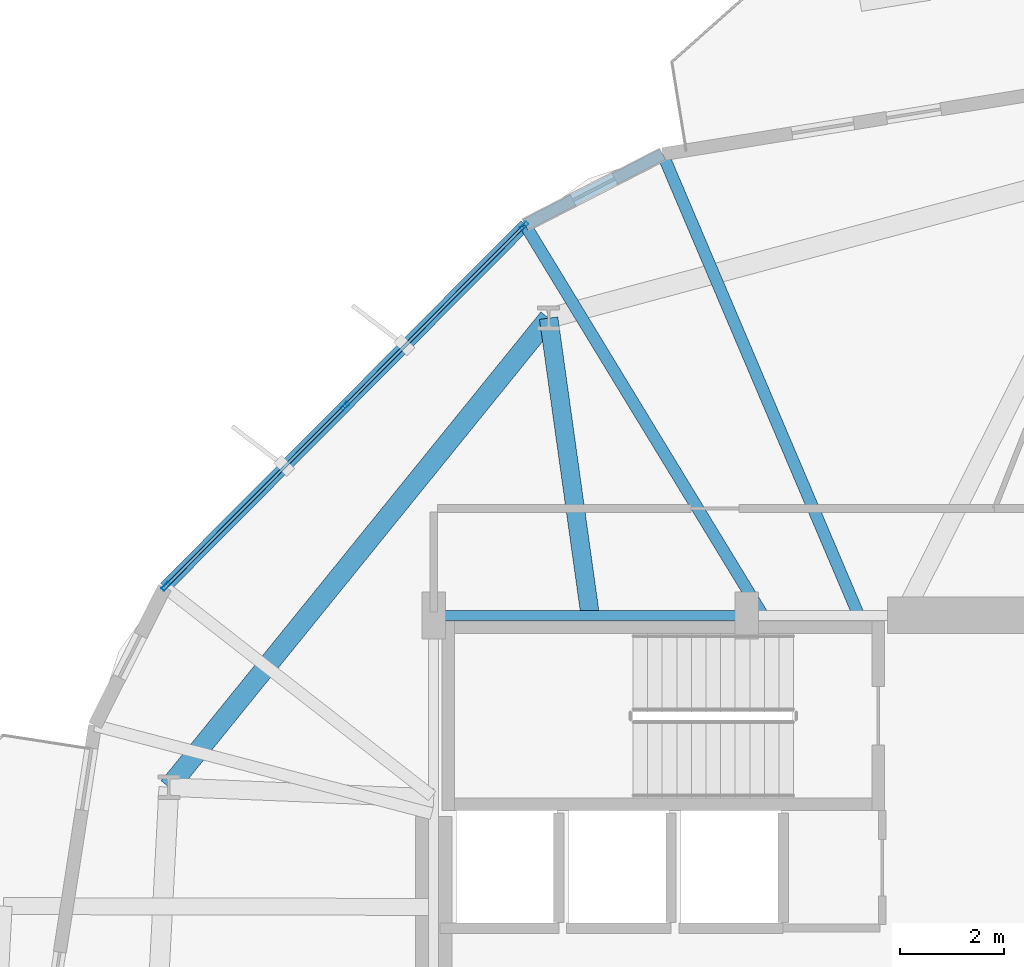
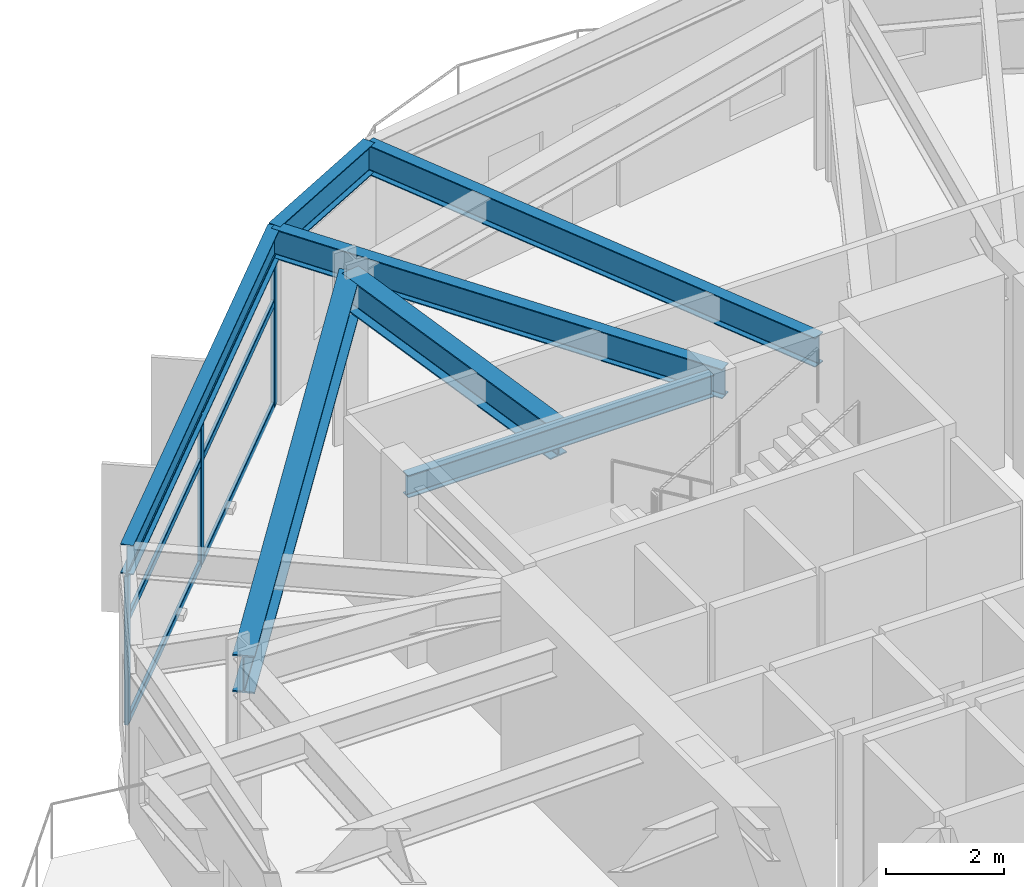
# One storey, part 13 of 23: 9 members, 7 beams, 1 element without a shape of its own.
"""IFC4 building model written with IfcOpenShell, lengths in metres."""

from ifc_helpers import new_model, si_unit, direction, frame, origin, origin_2d, place, context, subcontext, project, spatial, hollow_rectangle, i_section, extrude, material, layer, layer_set, material_profile, profile_set, type_object, element, aggregate, save


model = new_model("IFC4")

# Units and contexts
model_context = context("Model", 3, precision=1e-05, world=origin(), true_north=direction((0.0, 1.0)))
body_context = subcontext(model_context, "Body", "Model", "MODEL_VIEW")
ifc_project = project(units=[si_unit("LENGTHUNIT", "METRE"), si_unit("AREAUNIT", "SQUARE_METRE"), si_unit("VOLUMEUNIT", "CUBIC_METRE"), si_unit("PLANEANGLEUNIT", "RADIAN"), si_unit("MASSUNIT", "GRAM", prefix="KILO")], contexts=[model_context])

# Site, building, storey
site_placement = place(None, origin())
site = spatial("IfcSite", under=ifc_project, at=site_placement, CompositionType="ELEMENT")
building_placement = place(site_placement, origin())
building = spatial("IfcBuilding", under=site, at=building_placement, Name="Soratama Intermodal Tower", CompositionType="ELEMENT")
storey_placement = place(building_placement, frame((0.0, 0.0, 62.60009765625)))
storey = spatial("IfcBuildingStorey", under=building, at=storey_placement, Name="L14", CompositionType="ELEMENT", Elevation=62.60009765625)

# Beams
ifc_material_1 = material(Name="Structural steel ASTM A992 Grade 50", Category="steel")
ifc_material_profile_1 = material_profile(ifc_material_1, i_section(OverallWidth=0.19091796875, OverallDepth=0.4599609375, WebThickness=0.010009765625, FlangeThickness=0.01611328125, FilletRadius=0.010986328125, at=origin_2d()), Name="W18X55")
ifc_profile_set_1 = profile_set([ifc_material_profile_1], Name="Structural steel ASTM A992 Grade 50")
beam_type_1 = type_object("IfcBeamType", Name="BM-FLR-W18X55", PredefinedType="BEAM", material=ifc_profile_set_1)
beam_1_placement = place(storey_placement, frame((38.60009765625, 35.0, 3.469970703125), z_axis=(-1.0, 0.0, 0.0), x_axis=(0.0, -1.0, 0.0)))
element("IfcBeam", 1, at=beam_1_placement, inside=storey, type_object=beam_type_1, Name="BM-L14-CRING-07", PredefinedType="BEAM", context=body_context, shape_type="SweptSolid", body=[
    extrude(i_section(OverallWidth=0.19091796875, OverallDepth=0.4599609375, WebThickness=0.010009765625, FlangeThickness=0.01611328125, FilletRadius=0.010986328125, at=origin_2d()), origin(), (0.0, 0.0, 1.0), 6.0),
])
ifc_material_2 = material(Name="Structural steel ASTM A992 Grade 50", Category="steel")
ifc_material_profile_2 = material_profile(ifc_material_2, i_section(OverallWidth=0.35498046875, OverallDepth=0.695068359375, WebThickness=0.015380859375, FlangeThickness=0.02490234375, FilletRadius=0.01611328125, at=origin_2d()), Name="W27X146")
ifc_profile_set_2 = profile_set([ifc_material_profile_2], Name="Structural steel ASTM A992 Grade 50")
beam_type_2 = type_object("IfcBeamType", Name="BM-RING-W27X146", PredefinedType="BEAM", material=ifc_profile_set_2)
beam_2_placement = place(storey_placement, frame((35.60009765625, 35.0, 3.352294921875), z_axis=(-0.138332473065, 0.990385847484, 0.0), x_axis=(-0.990385847484, -0.138332473065, 0.0)))
element("IfcBeam", 2, at=beam_2_placement, inside=storey, type_object=beam_type_2, Name="BM-L14-RAD-04", PredefinedType="BEAM", context=body_context, shape_type="SweptSolid", body=[
    extrude(i_section(OverallWidth=0.35498046875, OverallDepth=0.695068359375, WebThickness=0.015380859375, FlangeThickness=0.02490234375, FilletRadius=0.01611328125, at=origin_2d()), origin(), (0.0, 0.0, 1.0), 5.75537109375),
])
ifc_material_3 = material(Name="Structural steel ASTM A992 Grade 50", Category="steel")
ifc_material_profile_3 = material_profile(ifc_material_3, i_section(OverallWidth=0.382080078125, OverallDepth=0.779052734375, WebThickness=0.01806640625, FlangeThickness=0.030029296875, FilletRadius=0.01806640625, at=origin_2d()), Name="W30X191")
ifc_profile_set_3 = profile_set([ifc_material_profile_3], Name="Structural steel ASTM A992 Grade 50")
beam_type_3 = type_object("IfcBeamType", Name="BM-RING-W30X191", PredefinedType="BEAM", material=ifc_profile_set_3)
beam_3_placement = place(storey_placement, frame((34.803955078125, 40.699951171875, 3.310302734375), z_axis=(-0.629334198857, -0.777134779912, 0.0), x_axis=(0.777134779912, -0.629334198857, 0.0)))
element("IfcBeam", 3, at=beam_3_placement, inside=storey, type_object=beam_type_3, Name="BM-L14-RING-04", PredefinedType="BEAM", context=body_context, shape_type="SweptSolid", body=[
    extrude(i_section(OverallWidth=0.382080078125, OverallDepth=0.779052734375, WebThickness=0.01806640625, FlangeThickness=0.030029296875, FilletRadius=0.01806640625, at=origin_2d()), origin(), (0.0, 0.0, 1.0), 11.5693359375),
])
ifc_material_4 = material(Name="Structural steel ASTM A992 Grade 50", Category="steel")
ifc_material_profile_4 = material_profile(ifc_material_4, i_section(OverallWidth=0.22900390625, OverallDepth=0.612060546875, WebThickness=0.011962890625, FlangeThickness=0.01953125, FilletRadius=0.012939453125, at=origin_2d()), Name="W24X84")
ifc_profile_set_4 = profile_set([ifc_material_profile_4], Name="Structural steel ASTM A992 Grade 50")
beam_type_4 = type_object("IfcBeamType", Name="BM-SPN-W24X84", PredefinedType="SPANDREL", material=ifc_profile_set_4)
beam_4_placement = place(storey_placement, frame((36.990966796875, 43.843994140625, 3.393798828125), z_axis=(-0.889585998818, -0.456767720736, 0.0), x_axis=(0.456767720736, -0.889585998818, 0.0)))
element("IfcBeam", 4, at=beam_4_placement, inside=storey, type_object=beam_type_4, Name="BS-L14-CRN03", PredefinedType="SPANDREL", context=body_context, shape_type="SweptSolid", body=[
    extrude(i_section(OverallWidth=0.22900390625, OverallDepth=0.612060546875, WebThickness=0.011962890625, FlangeThickness=0.01953125, FilletRadius=0.012939453125, at=origin_2d()), origin(), (0.0, 0.0, 1.0), 2.966552734375),
])
beam_5_placement = place(storey_placement, frame((34.35205078125, 42.489013671875, 3.393798828125), z_axis=(-0.704911045702, -0.709295719462, 0.0), x_axis=(0.709295719462, -0.704911045702, 0.0)))
element("IfcBeam", 5, at=beam_5_placement, inside=storey, type_object=beam_type_4, Name="BS-L14-F04", PredefinedType="SPANDREL", context=body_context, shape_type="SweptSolid", body=[
    extrude(i_section(OverallWidth=0.22900390625, OverallDepth=0.612060546875, WebThickness=0.011962890625, FlangeThickness=0.01953125, FilletRadius=0.012939453125, at=origin_2d()), origin(), (0.0, 0.0, 1.0), 9.7998046875),
])
ifc_material_5 = material(Name="Structural steel ASTM A992 Grade 50", Category="steel")
ifc_material_profile_5 = material_profile(ifc_material_5, i_section(OverallWidth=0.22900390625, OverallDepth=0.612060546875, WebThickness=0.011962890625, FlangeThickness=0.01953125, FilletRadius=0.012939453125, at=origin_2d()), Name="W24X84")
ifc_profile_set_5 = profile_set([ifc_material_profile_5], Name="Structural steel ASTM A992 Grade 50")
beam_type_5 = type_object("IfcBeamType", Name="BM-TIE-W24X84", PredefinedType="BEAM", material=ifc_profile_set_5)
beam_6_placement = place(storey_placement, frame((40.73388671875, 35.037109375, 3.393798828125), z_axis=(-0.391140100101, 0.920331148062, 0.0), x_axis=(-0.920331148062, -0.391140100101, 0.0)))
element("IfcBeam", 6, at=beam_6_placement, inside=storey, type_object=beam_type_5, Name="BM-L14-TIE1-03", PredefinedType="BEAM", context=body_context, shape_type="SweptSolid", body=[
    extrude(i_section(OverallWidth=0.22900390625, OverallDepth=0.612060546875, WebThickness=0.011962890625, FlangeThickness=0.01953125, FilletRadius=0.012939453125, at=origin_2d()), origin(), (0.0, 0.0, 1.0), 9.5693359375),
])
beam_7_placement = place(storey_placement, frame((38.89111328125, 35.033935546875, 3.393798828125), z_axis=(-0.520046329048, 0.854138054207, 0.0), x_axis=(-0.854138054207, -0.520046329048, 0.0)))
element("IfcBeam", 7, at=beam_7_placement, inside=storey, type_object=beam_type_5, Name="BM-L14-TIE0-04", PredefinedType="BEAM", context=body_context, shape_type="SweptSolid", body=[
    extrude(i_section(OverallWidth=0.22900390625, OverallDepth=0.612060546875, WebThickness=0.011962890625, FlangeThickness=0.01953125, FilletRadius=0.012939453125, at=origin_2d()), origin(), (0.0, 0.0, 1.0), 8.728271484375),
])

# Curtain wall, members
ifc_material_6 = material(Name="Double-glazed aluminium curtain wall", Category="aluminium")
ifc_layer = layer(ifc_material_6, 0.159912109375)
ifc_layer_set = layer_set([ifc_layer], Name="Double-glazed aluminium curtain wall")
curtain_wall_type = type_object("IfcCurtainWallType", Name="CW-SYS-2", PredefinedType="NOTDEFINED", material=ifc_layer_set)
curtain_wall_placement = place(storey_placement, origin())
curtain_wall = element("IfcCurtainWall", 8, at=curtain_wall_placement, inside=storey, type_object=curtain_wall_type, Name="L14 Faceted Curtain Wall F04", PredefinedType="NOTDEFINED")
ifc_material_7 = material(Name="Anodised aluminium AA 6063-T6", Category="aluminium")
ifc_material_profile_6 = material_profile(ifc_material_7, hollow_rectangle(XDim=0.074951171875, YDim=0.179931640625, WallThickness=0.006103515625, InnerFilletRadius=0.006103515625, OuterFilletRadius=0.011962890625, at=origin_2d()), Name="CWM180X75X6")
ifc_profile_set_6 = profile_set([ifc_material_profile_6], Name="Anodised aluminium AA 6063-T6")
member_type_1 = type_object("IfcMemberType", Name="MT-CWM-2", PredefinedType="MULLION", material=ifc_profile_set_6)
member_1_placement = place(storey_placement, frame((34.3310546875, 42.468017578125, 0.0), z_axis=(0.0, 0.0, 1.0), x_axis=(0.709327775851, -0.704878788449, 0.0)))
member_1 = element("IfcMember", 9, at=member_1_placement, type_object=member_type_1, Name="CW-2 mullion 1", PredefinedType="MULLION", context=body_context, shape_type="SweptSolid", body=[
    extrude(hollow_rectangle(XDim=0.074951171875, YDim=0.179931640625, WallThickness=0.006103515625, InnerFilletRadius=0.006103515625, OuterFilletRadius=0.011962890625, at=origin_2d()), origin(), (0.0, 0.0, 1.0), 3.078857421875),
])
member_2_placement = place(storey_placement, frame((30.898193359375, 39.013427734375, 0.0), z_axis=(0.0, 0.0, 1.0), x_axis=(0.709327775851, -0.704878788449, 0.0)))
member_2 = element("IfcMember", 10, at=member_2_placement, type_object=member_type_1, Name="CW-2 mullion 2", PredefinedType="MULLION", context=body_context, shape_type="SweptSolid", body=[
    extrude(hollow_rectangle(XDim=0.074951171875, YDim=0.179931640625, WallThickness=0.006103515625, InnerFilletRadius=0.006103515625, OuterFilletRadius=0.011962890625, at=origin_2d()), origin(), (0.0, 0.0, 1.0), 3.078857421875),
])
member_3_placement = place(storey_placement, frame((27.46533203125, 35.55908203125, 0.0), z_axis=(0.0, 0.0, 1.0), x_axis=(0.709327775851, -0.704878788449, 0.0)))
member_3 = element("IfcMember", 11, at=member_3_placement, type_object=member_type_1, Name="CW-2 mullion 3", PredefinedType="MULLION", context=body_context, shape_type="SweptSolid", body=[
    extrude(hollow_rectangle(XDim=0.074951171875, YDim=0.179931640625, WallThickness=0.006103515625, InnerFilletRadius=0.006103515625, OuterFilletRadius=0.011962890625, at=origin_2d()), origin(), (0.0, 0.0, 1.0), 3.078857421875),
])
ifc_material_8 = material(Name="Anodised aluminium AA 6063-T6", Category="aluminium")
ifc_material_profile_7 = material_profile(ifc_material_8, hollow_rectangle(XDim=0.06494140625, YDim=0.14990234375, WallThickness=0.0048828125, InnerFilletRadius=0.0048828125, OuterFilletRadius=0.010009765625, at=origin_2d()), Name="CWT150X65X5")
ifc_profile_set_7 = profile_set([ifc_material_profile_7], Name="Anodised aluminium AA 6063-T6")
member_type_2 = type_object("IfcMemberType", Name="TT-CWT-1", PredefinedType="USERDEFINED", material=ifc_profile_set_7)
member_4_placement = place(storey_placement, frame((34.309814453125, 42.446533203125, 0.02978515625), z_axis=(-0.704869922644, -0.70933658594, 0.0), x_axis=(0.70933658594, -0.704869922644, 0.0)))
member_4 = element("IfcMember", 12, at=member_4_placement, type_object=member_type_2, Name="CW-2 transom 1.1", ObjectType="TRANSOM", PredefinedType="USERDEFINED", context=body_context, shape_type="SweptSolid", body=[
    extrude(hollow_rectangle(XDim=0.06494140625, YDim=0.14990234375, WallThickness=0.0048828125, InnerFilletRadius=0.0048828125, OuterFilletRadius=0.010009765625, at=origin_2d()), origin(), (0.0, 0.0, 1.0), 4.81005859375),
])
member_5_placement = place(storey_placement, frame((34.309814453125, 42.446533203125, 2.14990234375), z_axis=(-0.704869922644, -0.70933658594, 0.0), x_axis=(0.70933658594, -0.704869922644, 0.0)))
member_5 = element("IfcMember", 13, at=member_5_placement, type_object=member_type_2, Name="CW-2 transom 1.2", ObjectType="TRANSOM", PredefinedType="USERDEFINED", context=body_context, shape_type="SweptSolid", body=[
    extrude(hollow_rectangle(XDim=0.06494140625, YDim=0.14990234375, WallThickness=0.0048828125, InnerFilletRadius=0.0048828125, OuterFilletRadius=0.010009765625, at=origin_2d()), origin(), (0.0, 0.0, 1.0), 4.81005859375),
])
member_6_placement = place(storey_placement, frame((34.309814453125, 42.446533203125, 3.048828125), z_axis=(-0.704869922644, -0.70933658594, 0.0), x_axis=(0.70933658594, -0.704869922644, 0.0)))
member_6 = element("IfcMember", 14, at=member_6_placement, type_object=member_type_2, Name="CW-2 transom 1.3", ObjectType="TRANSOM", PredefinedType="USERDEFINED", context=body_context, shape_type="SweptSolid", body=[
    extrude(hollow_rectangle(XDim=0.06494140625, YDim=0.14990234375, WallThickness=0.0048828125, InnerFilletRadius=0.0048828125, OuterFilletRadius=0.010009765625, at=origin_2d()), origin(), (0.0, 0.0, 1.0), 4.81005859375),
])
member_7_placement = place(storey_placement, frame((30.876953125, 38.9921875, 0.02978515625), z_axis=(-0.704869922644, -0.70933658594, 0.0), x_axis=(0.70933658594, -0.704869922644, 0.0)))
member_7 = element("IfcMember", 15, at=member_7_placement, type_object=member_type_2, Name="CW-2 transom 2.1", ObjectType="TRANSOM", PredefinedType="USERDEFINED", context=body_context, shape_type="SweptSolid", body=[
    extrude(hollow_rectangle(XDim=0.06494140625, YDim=0.14990234375, WallThickness=0.0048828125, InnerFilletRadius=0.0048828125, OuterFilletRadius=0.010009765625, at=origin_2d()), origin(), (0.0, 0.0, 1.0), 4.81005859375),
])
member_8_placement = place(storey_placement, frame((30.876953125, 38.9921875, 2.14990234375), z_axis=(-0.704869922644, -0.70933658594, 0.0), x_axis=(0.70933658594, -0.704869922644, 0.0)))
member_8 = element("IfcMember", 16, at=member_8_placement, type_object=member_type_2, Name="CW-2 transom 2.2", ObjectType="TRANSOM", PredefinedType="USERDEFINED", context=body_context, shape_type="SweptSolid", body=[
    extrude(hollow_rectangle(XDim=0.06494140625, YDim=0.14990234375, WallThickness=0.0048828125, InnerFilletRadius=0.0048828125, OuterFilletRadius=0.010009765625, at=origin_2d()), origin(), (0.0, 0.0, 1.0), 4.81005859375),
])
member_9_placement = place(storey_placement, frame((30.876953125, 38.9921875, 3.048828125), z_axis=(-0.704869922644, -0.70933658594, 0.0), x_axis=(0.70933658594, -0.704869922644, 0.0)))
member_9 = element("IfcMember", 17, at=member_9_placement, type_object=member_type_2, Name="CW-2 transom 2.3", ObjectType="TRANSOM", PredefinedType="USERDEFINED", context=body_context, shape_type="SweptSolid", body=[
    extrude(hollow_rectangle(XDim=0.06494140625, YDim=0.14990234375, WallThickness=0.0048828125, InnerFilletRadius=0.0048828125, OuterFilletRadius=0.010009765625, at=origin_2d()), origin(), (0.0, 0.0, 1.0), 4.81005859375),
])
aggregate(curtain_wall, [member_1, member_2, member_3, member_4, member_5, member_6, member_7, member_8, member_9])

save(model, "model.ifc")
